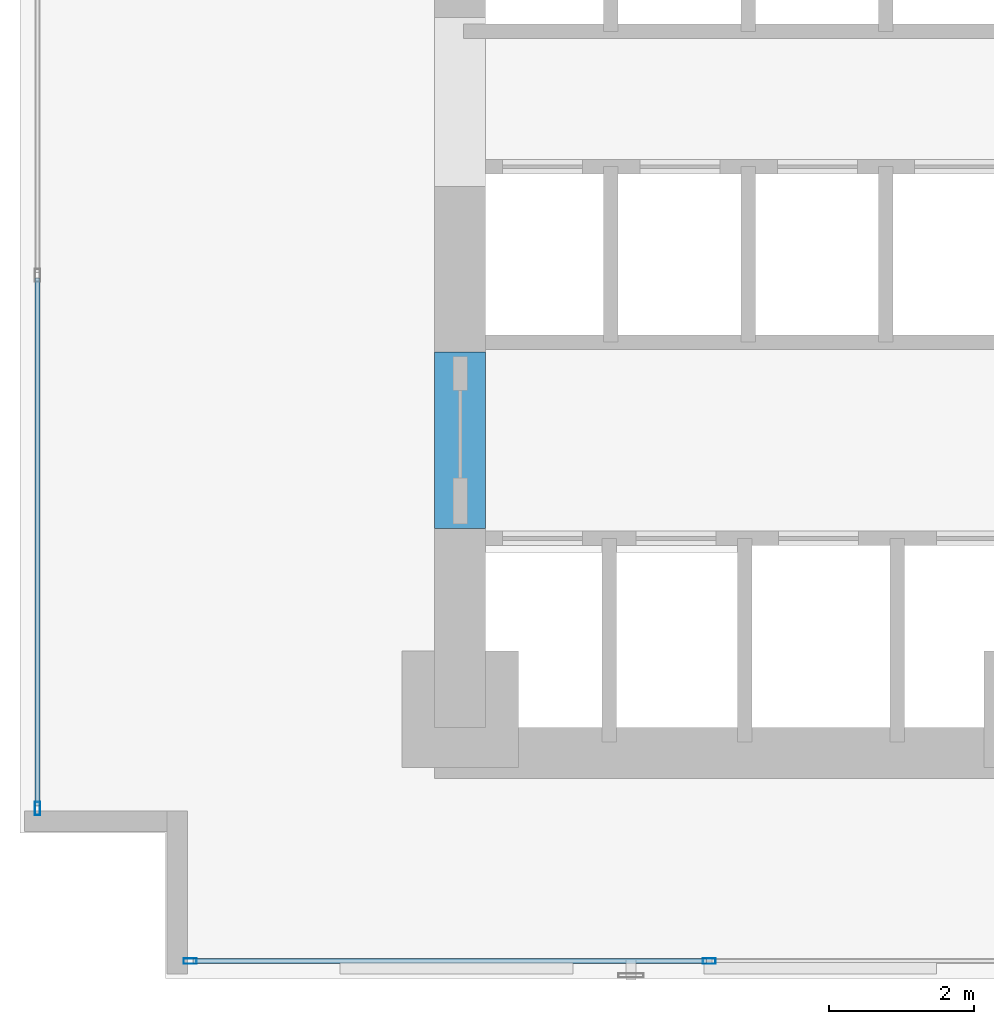
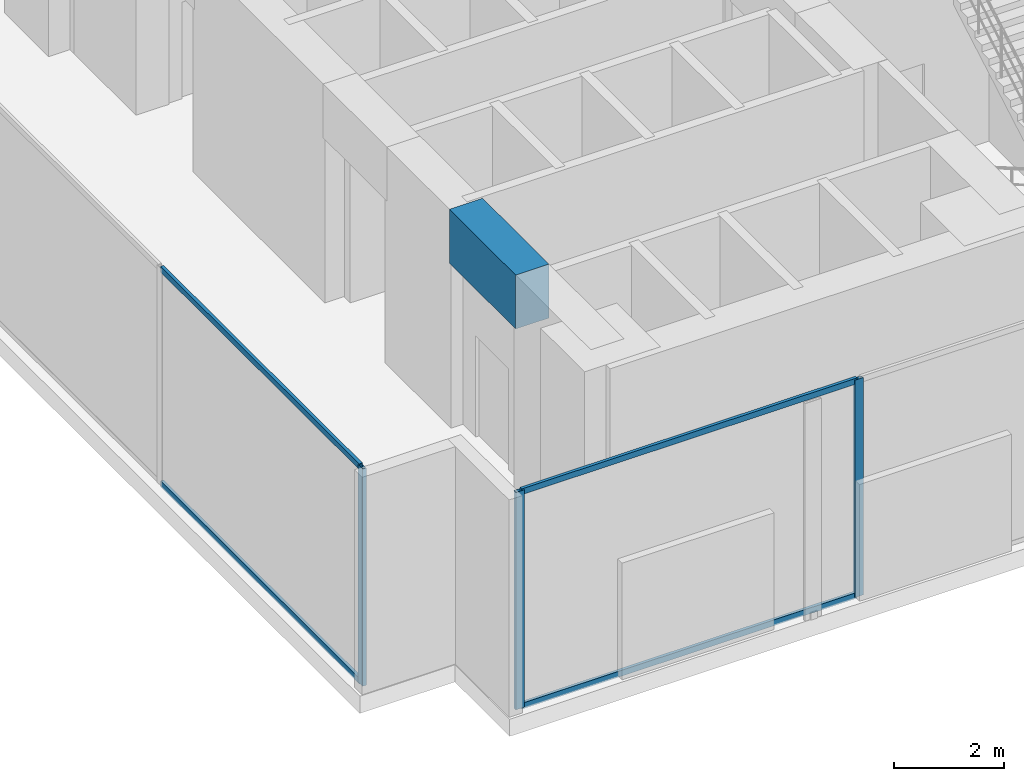
# One storey, part 2 of 36: 7 members, 1 beam, 2 elements without a shape of their own.
"""IFC4 building model written with IfcOpenShell, lengths in metres."""

from ifc_helpers import new_model, si_unit, direction, frame, origin, origin_with_axes, origin_2d, place, context, subcontext, project, spatial, rectangle, hollow_rectangle, extrude, source, transform, mapped, material, layer, layer_set, material_profile, profile_set, type_object, element, aggregate, save


model = new_model("IFC4")

# Units and contexts
model_context = context("Model", 3, precision=1e-05, world=origin(), true_north=direction((0.0, 1.0)))
body_context = subcontext(model_context, "Body", "Model", "MODEL_VIEW")
ifc_project = project(units=[si_unit("LENGTHUNIT", "METRE"), si_unit("AREAUNIT", "SQUARE_METRE"), si_unit("VOLUMEUNIT", "CUBIC_METRE"), si_unit("PLANEANGLEUNIT", "RADIAN"), si_unit("MASSUNIT", "GRAM", prefix="KILO")], contexts=[model_context])

# Site, building, storey
site_placement = place(None, origin())
site = spatial("IfcSite", under=ifc_project, at=site_placement, CompositionType="ELEMENT")
building_placement = place(site_placement, origin())
building = spatial("IfcBuilding", under=site, at=building_placement, Name="Kolvaren Waterfront Exchange", CompositionType="ELEMENT")
storey_placement = place(building_placement, frame((0.0, 0.0, 82.800048828125)))
storey = spatial("IfcBuildingStorey", under=building, at=storey_placement, Name="L21", CompositionType="ELEMENT", Elevation=82.800048828125)

# Beam
ifc_material_1 = material(Name="Concrete C70/85", Category="concrete")
ifc_material_profile_1 = material_profile(ifc_material_1, rectangle(XDim=0.699951171875, YDim=1.199951171875, at=origin_2d()), Name="RC-CB-1200x700")
ifc_profile_set_1 = profile_set([ifc_material_profile_1], Name="Concrete C70/85")
beam_type = type_object("IfcBeamType", Name="STR-CB-1200", PredefinedType="SPANDREL", material=ifc_profile_set_1)
beam_placement = place(storey_placement, frame((7.449951171875, 7.389892578125, 4.239990234375), z_axis=(0.0, 1.0, 0.0), x_axis=(-1.0, 0.0, 0.0)))
element("IfcBeam", 1, at=beam_placement, inside=storey, type_object=beam_type, Name="L21 core coupling beam 3", PredefinedType="SPANDREL", context=body_context, shape_type="SweptSolid", body=[
    extrude(rectangle(XDim=0.699951171875, YDim=1.199951171875, at=origin_2d()), origin(), (0.0, 0.0, 1.0), 2.420166015625),
])

# Curtain wall, members
ifc_material_2 = material(Name="Anodised dark bronze spandrel aluminium", Category="aluminium")
ifc_layer = layer(ifc_material_2, 0.219970703125, Name="Anodised dark bronze spandrel aluminium")
ifc_layer_set = layer_set([ifc_layer], Name="Anodised dark bronze spandrel aluminium")
curtain_wall_type = type_object("IfcCurtainWallType", Name="ARC-CW-SYS6", PredefinedType="USERDEFINED", material=ifc_layer_set)
curtain_wall_1_placement = place(storey_placement, origin())
curtain_wall_1 = element("IfcCurtainWall", 2, at=curtain_wall_1_placement, inside=storey, type_object=curtain_wall_type, Name="L21 stick curtain wall CW6 (CW-L21-S)", ObjectType="STICK CURTAIN WALL", PredefinedType="USERDEFINED")
ifc_material_3 = material(Name="Anodised bronze aluminium 6063-T6", Category="aluminium")
ifc_material_profile_2 = material_profile(ifc_material_3, hollow_rectangle(XDim=0.074951171875, YDim=0.179931640625, WallThickness=0.00439453125, at=origin_2d()), Name="ALU-MUL-180x75x4.5")
ifc_profile_set_2 = profile_set([ifc_material_profile_2], Name="Anodised bronze aluminium 6063-T6")
member_type_1 = type_object("IfcMemberType", Name="ARC-CWM-180", PredefinedType="MULLION", material=ifc_profile_set_2)
shared_shape_1 = source(origin_with_axes(), body_context, "Body", "SweptSolid", [
    extrude(hollow_rectangle(XDim=0.074951171875, YDim=0.179931640625, WallThickness=0.00439453125, at=origin_2d()), origin(), (0.0, 0.0, 1.0), 4.83984375),
])
member_1_placement = place(storey_placement, frame((3.737548828125, 1.43994140625, 0.0), z_axis=(0.0, 0.0, 1.0), x_axis=(0.0, 1.0, 0.0)))
member_1 = element("IfcMember", 3, at=member_1_placement, type_object=member_type_1, Name="CW6 mullion 1", PredefinedType="MULLION", context=body_context, shape_type="MappedRepresentation", body=[
    mapped(shared_shape_1, transform((0.0, 0.0, 0.0), x_axis=(1.0, 0.0, 0.0), y_axis=(0.0, 1.0, 0.0), z_axis=(0.0, 0.0, 1.0), scale=1.0)),
])
member_2_placement = place(storey_placement, frame((10.875, 1.43994140625, 0.0), z_axis=(0.0, 0.0, 1.0), x_axis=(0.0, 1.0, 0.0)))
member_2 = element("IfcMember", 4, at=member_2_placement, type_object=member_type_1, Name="CW6 mullion 2", PredefinedType="MULLION", context=body_context, shape_type="MappedRepresentation", body=[
    mapped(shared_shape_1, transform((0.0, 0.0, 0.0), x_axis=(1.0, 0.0, 0.0), y_axis=(0.0, 1.0, 0.0), z_axis=(0.0, 0.0, 1.0), scale=1.0)),
])

# Curtain wall, member
curtain_wall_2_placement = place(storey_placement, origin())
curtain_wall_2 = element("IfcCurtainWall", 5, at=curtain_wall_2_placement, inside=storey, type_object=curtain_wall_type, Name="L21 stick curtain wall CW6 (CW-L21-W)", ObjectType="STICK CURTAIN WALL", PredefinedType="USERDEFINED")
member_3_placement = place(storey_placement, frame((1.639892578125, 3.53759765625, 0.0), z_axis=(0.0, 0.0, 1.0), x_axis=(-1.0, 0.0, 0.0)))
member_3 = element("IfcMember", 6, at=member_3_placement, type_object=member_type_1, Name="CW6 mullion 1", PredefinedType="MULLION", context=body_context, shape_type="MappedRepresentation", body=[
    mapped(shared_shape_1, transform((0.0, 0.0, 0.0), x_axis=(1.0, 0.0, 0.0), y_axis=(0.0, 1.0, 0.0), z_axis=(0.0, 0.0, 1.0), scale=1.0)),
])

# Member
ifc_material_profile_3 = material_profile(ifc_material_3, hollow_rectangle(XDim=0.06494140625, YDim=0.1298828125, WallThickness=0.00390625, at=origin_2d()), Name="ALU-TRN-130x65x4")
ifc_profile_set_3 = profile_set([ifc_material_profile_3], Name="Anodised bronze aluminium 6063-T6")
member_type_2 = type_object("IfcMemberType", Name="ARC-CWT-130", PredefinedType="USERDEFINED", material=ifc_profile_set_3)
shared_shape_2 = source(origin_with_axes(), body_context, "Body", "SweptSolid", [
    extrude(hollow_rectangle(XDim=0.06494140625, YDim=0.1298828125, WallThickness=0.00390625, at=origin_2d()), origin(), (0.0, 0.0, 1.0), 7.0625),
])
member_4_placement = place(storey_placement, frame((3.77490234375, 1.43994140625, 0.032470703125), z_axis=(1.0, 0.0, 0.0), x_axis=(0.0, 1.0, 0.0)))
member_4 = element("IfcMember", 7, at=member_4_placement, type_object=member_type_2, Name="CW6 transom 1.1", ObjectType="TRANSOM", PredefinedType="USERDEFINED", context=body_context, shape_type="MappedRepresentation", body=[
    mapped(shared_shape_2, transform((0.0, 0.0, 0.0), x_axis=(1.0, 0.0, 0.0), y_axis=(0.0, 1.0, 0.0), z_axis=(0.0, 0.0, 1.0), scale=1.0)),
])

member_5_placement = place(storey_placement, frame((3.77490234375, 1.43994140625, 4.807373046875), z_axis=(1.0, 0.0, 0.0), x_axis=(0.0, 1.0, 0.0)))
member_5 = element("IfcMember", 8, at=member_5_placement, type_object=member_type_2, Name="CW6 transom 1.2", ObjectType="TRANSOM", PredefinedType="USERDEFINED", context=body_context, shape_type="MappedRepresentation", body=[
    mapped(shared_shape_2, transform((0.0, 0.0, 0.0), x_axis=(1.0, 0.0, 0.0), y_axis=(0.0, 1.0, 0.0), z_axis=(0.0, 0.0, 1.0), scale=1.0)),
])

aggregate(curtain_wall_1, [member_1, member_2, member_4, member_5])

shared_shape_3 = source(origin_with_axes(), body_context, "Body", "SweptSolid", [
    extrude(hollow_rectangle(XDim=0.06494140625, YDim=0.1298828125, WallThickness=0.00390625, at=origin_2d()), origin(), (0.0, 0.0, 1.0), 7.254150390625),
])
member_6_placement = place(storey_placement, frame((1.639892578125, 3.574951171875, 0.032470703125), z_axis=(0.0, 1.0, 0.0), x_axis=(-1.0, 0.0, 0.0)))
member_6 = element("IfcMember", 9, at=member_6_placement, type_object=member_type_2, Name="CW6 transom 1.1", ObjectType="TRANSOM", PredefinedType="USERDEFINED", context=body_context, shape_type="MappedRepresentation", body=[
    mapped(shared_shape_3, transform((0.0, 0.0, 0.0), x_axis=(1.0, 0.0, 0.0), y_axis=(0.0, 1.0, 0.0), z_axis=(0.0, 0.0, 1.0), scale=1.0)),
])

member_7_placement = place(storey_placement, frame((1.639892578125, 3.574951171875, 4.807373046875), z_axis=(0.0, 1.0, 0.0), x_axis=(-1.0, 0.0, 0.0)))
member_7 = element("IfcMember", 10, at=member_7_placement, type_object=member_type_2, Name="CW6 transom 1.2", ObjectType="TRANSOM", PredefinedType="USERDEFINED", context=body_context, shape_type="MappedRepresentation", body=[
    mapped(shared_shape_3, transform((0.0, 0.0, 0.0), x_axis=(1.0, 0.0, 0.0), y_axis=(0.0, 1.0, 0.0), z_axis=(0.0, 0.0, 1.0), scale=1.0)),
])

aggregate(curtain_wall_2, [member_3, member_6, member_7])

save(model, "model.ifc")
